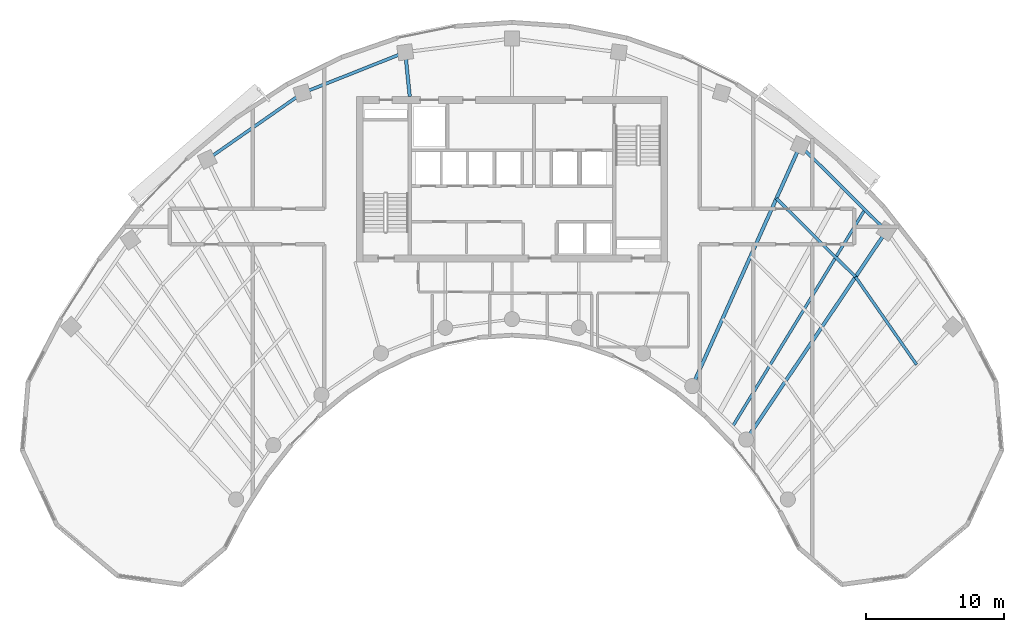
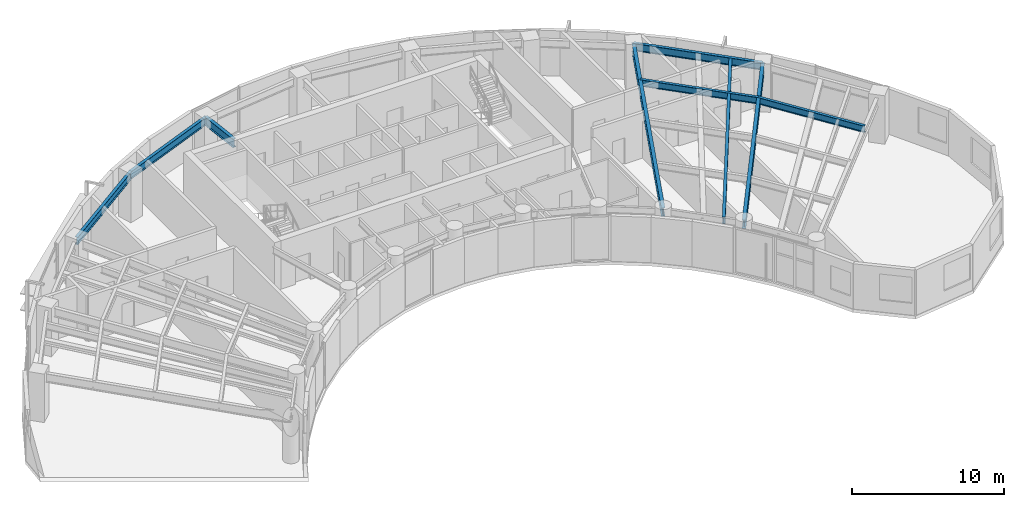
# One storey, part 4 of 13: 9 beams.
"""IFC4 building model written with IfcOpenShell, lengths in metres."""

from ifc_helpers import new_model, si_unit, direction, frame, origin, origin_2d, place, context, subcontext, project, spatial, i_section, extrude, source, transform, mapped, material, material_profile, profile_set, type_object, element, save


model = new_model("IFC4")

# Units and contexts
model_context = context("Model", 3, precision=1e-05, world=origin(), true_north=direction((0.0, 1.0)))
body_context = subcontext(model_context, "Body", "Model", "MODEL_VIEW")
ifc_project = project(units=[si_unit("LENGTHUNIT", "METRE"), si_unit("AREAUNIT", "SQUARE_METRE"), si_unit("VOLUMEUNIT", "CUBIC_METRE"), si_unit("PLANEANGLEUNIT", "RADIAN"), si_unit("MASSUNIT", "GRAM", prefix="KILO")], contexts=[model_context])

# Site, building, storey
site_placement = place(None, origin())
site = spatial("IfcSite", under=ifc_project, at=site_placement, CompositionType="ELEMENT")
building_placement = place(site_placement, origin())
building = spatial("IfcBuilding", under=site, at=building_placement, Name="Breltana Convention Tower", CompositionType="ELEMENT")
storey_placement = place(building_placement, frame((0.0, 0.0, 181.800048828125)))
storey = spatial("IfcBuildingStorey", under=building, at=storey_placement, Name="L44", CompositionType="ELEMENT", Elevation=181.800048828125)

# Beams
ifc_material = material(Name="Steel ASTM A992 Grade 50", Category="steel")
ifc_material_profile_1 = material_profile(ifc_material, i_section(OverallWidth=0.2099609375, OverallDepth=0.537109375, WebThickness=0.010986328125, FlangeThickness=0.017333984375, at=origin_2d()), Name="W21X68")
ifc_profile_set_1 = profile_set([ifc_material_profile_1], Name="Steel ASTM A992 Grade 50")
beam_type_1 = type_object("IfcBeamType", Name="BM-JSG-04", PredefinedType="JOIST", material=ifc_profile_set_1)
shared_shape_1 = source(origin(), body_context, "Body", "SweptSolid", [
    extrude(i_section(OverallWidth=0.2099609375, OverallDepth=0.537109375, WebThickness=0.010986328125, FlangeThickness=0.017333984375, at=origin_2d()), origin(), (0.0, 0.0, 1.0), 8.084716796875),
])
beam_1_placement = place(storey_placement, frame((67.188232421875, 64.79248046875, 3.38134765625), z_axis=(0.710105094548, -0.704095699956, 0.0), x_axis=(0.704095699956, 0.710105094548, 0.0)))
element("IfcBeam", 1, at=beam_1_placement, inside=storey, type_object=beam_type_1, Name="L44 Composite Floor Joist 09.3", PredefinedType="JOIST", context=body_context, shape_type="MappedRepresentation", body=[
    mapped(shared_shape_1, transform((0.0, 0.0, 0.0), scale=1.0)),
])
shared_shape_2 = source(origin(), body_context, "Body", "SweptSolid", [
    extrude(i_section(OverallWidth=0.2099609375, OverallDepth=0.537109375, WebThickness=0.010986328125, FlangeThickness=0.017333984375, at=origin_2d()), origin(), (0.0, 0.0, 1.0), 18.409423828125),
])
beam_2_placement = place(storey_placement, frame((64.017333984375, 48.263916015625, 3.38134765625), z_axis=(0.520682167606, 0.853750596098, 0.0), x_axis=(-0.853750596098, 0.520682167606, 0.0)))
element("IfcBeam", 2, at=beam_2_placement, inside=storey, type_object=beam_type_1, Name="L44 Quarter-Bay Radial Trimmer 09", PredefinedType="JOIST", context=body_context, shape_type="MappedRepresentation", body=[
    mapped(shared_shape_2, transform((0.0, 0.0, 0.0), scale=1.0)),
])
shared_shape_3 = source(origin(), body_context, "Body", "SweptSolid", [
    extrude(i_section(OverallWidth=0.2099609375, OverallDepth=0.537109375, WebThickness=0.010986328125, FlangeThickness=0.017333984375, at=origin_2d()), origin(), (0.0, 0.0, 1.0), 7.75390625),
])
beam_3_placement = place(storey_placement, frame((72.92919921875, 59.10009765625, 3.38134765625), z_axis=(0.57119271264, -0.820815987312, 0.0), x_axis=(0.820815987312, 0.57119271264, 0.0)))
element("IfcBeam", 3, at=beam_3_placement, inside=storey, type_object=beam_type_1, Name="L44 Composite Floor Joist 10.3", PredefinedType="JOIST", context=body_context, shape_type="MappedRepresentation", body=[
    mapped(shared_shape_3, transform((0.0, 0.0, 0.0), scale=1.0)),
])
ifc_material_profile_2 = material_profile(ifc_material, i_section(OverallWidth=0.25390625, OverallDepth=0.68798828125, WebThickness=0.01318359375, FlangeThickness=0.02099609375, at=origin_2d()), Name="W27X102")
ifc_profile_set_2 = profile_set([ifc_material_profile_2], Name="Steel ASTM A992 Grade 50")
beam_type_2 = type_object("IfcBeamType", Name="BM-RG-W27X102", PredefinedType="USERDEFINED", material=ifc_profile_set_2)
shared_shape_4 = source(origin(), body_context, "Body", "SweptSolid", [
    extrude(i_section(OverallWidth=0.25390625, OverallDepth=0.68798828125, WebThickness=0.01318359375, FlangeThickness=0.02099609375, at=origin_2d()), origin(), (0.0, 0.0, 1.0), 3.220947265625),
])
beam_4_placement = place(storey_placement, frame((40.580078125, 72.199951171875, 3.305908203125), z_axis=(-0.101492254858, 0.994836329355, 0.0), x_axis=(-0.994836329355, -0.101492254858, 0.0)))
element("IfcBeam", 4, at=beam_4_placement, inside=storey, type_object=beam_type_2, Name="L44 North Core Radial Girder R05", ObjectType="GIRDER", PredefinedType="USERDEFINED", context=body_context, shape_type="MappedRepresentation", body=[
    mapped(shared_shape_4, transform((0.0, 0.0, 0.0), scale=1.0)),
])
shared_shape_5 = source(origin(), body_context, "Body", "SweptSolid", [
    extrude(i_section(OverallWidth=0.25390625, OverallDepth=0.68798828125, WebThickness=0.01318359375, FlangeThickness=0.02099609375, at=origin_2d()), origin(), (0.0, 0.0, 1.0), 19.133544921875),
])
beam_5_placement = place(storey_placement, frame((61.08203125, 51.174560546875, 3.305908203125), z_axis=(0.409144564164, 0.912469575172, 0.0), x_axis=(-0.912469575172, 0.409144564164, 0.0)))
element("IfcBeam", 5, at=beam_5_placement, inside=storey, type_object=beam_type_2, Name="L44 Radial Floor Girder R09", ObjectType="GIRDER", PredefinedType="USERDEFINED", context=body_context, shape_type="MappedRepresentation", body=[
    mapped(shared_shape_5, transform((0.0, 0.0, 0.0), scale=1.0)),
])
shared_shape_6 = source(origin(), body_context, "Body", "SweptSolid", [
    extrude(i_section(OverallWidth=0.25390625, OverallDepth=0.68798828125, WebThickness=0.01318359375, FlangeThickness=0.02099609375, at=origin_2d()), origin(), (0.0, 0.0, 1.0), 18.236328125),
])
beam_6_placement = place(storey_placement, frame((64.995849609375, 47.293701171875, 3.305908203125), z_axis=(0.557730360975, 0.830022195153, 0.0), x_axis=(-0.830022195153, 0.557730360975, 0.0)))
element("IfcBeam", 6, at=beam_6_placement, inside=storey, type_object=beam_type_2, Name="L44 Radial Floor Girder R10", ObjectType="GIRDER", PredefinedType="USERDEFINED", context=body_context, shape_type="MappedRepresentation", body=[
    mapped(shared_shape_6, transform((0.0, 0.0, 0.0), scale=1.0)),
])
ifc_material_profile_3 = material_profile(ifc_material, i_section(OverallWidth=0.22802734375, OverallDepth=0.60791015625, WebThickness=0.01123046875, FlangeThickness=0.017333984375, at=origin_2d()), Name="W24X76")
ifc_profile_set_3 = profile_set([ifc_material_profile_3], Name="Steel ASTM A992 Grade 50")
beam_type_3 = type_object("IfcBeamType", Name="BM-SP-W24X76", PredefinedType="SPANDREL", material=ifc_profile_set_3)
shared_shape_7 = source(origin(), body_context, "Body", "SweptSolid", [
    extrude(i_section(OverallWidth=0.22802734375, OverallDepth=0.60791015625, WebThickness=0.01123046875, FlangeThickness=0.017333984375, at=origin_2d()), origin(), (0.0, 0.0, 1.0), 8.4169921875),
])
beam_7_placement = place(storey_placement, frame((25.8876953125, 67.626953125, 3.345947265625), z_axis=(0.820173800102, 0.572114444519, 0.0), x_axis=(-0.572114444519, 0.820173800102, 0.0)))
element("IfcBeam", 7, at=beam_7_placement, inside=storey, type_object=beam_type_3, Name="L44 Outer Spandrel Beam 03", PredefinedType="SPANDREL", context=body_context, shape_type="MappedRepresentation", body=[
    mapped(shared_shape_7, transform((0.0, 0.0, 0.0), scale=1.0)),
])
shared_shape_8 = source(origin(), body_context, "Body", "SweptSolid", [
    extrude(i_section(OverallWidth=0.22802734375, OverallDepth=0.60791015625, WebThickness=0.01123046875, FlangeThickness=0.017333984375, at=origin_2d()), origin(), (0.0, 0.0, 1.0), 8.028564453125),
])
beam_8_placement = place(storey_placement, frame((32.791015625, 72.4423828125, 3.345947265625), z_axis=(0.929459100394, 0.368925169507, 0.0), x_axis=(-0.368925169507, 0.929459100394, 0.0)))
element("IfcBeam", 8, at=beam_8_placement, inside=storey, type_object=beam_type_3, Name="L44 Outer Spandrel Beam 04", PredefinedType="SPANDREL", context=body_context, shape_type="MappedRepresentation", body=[
    mapped(shared_shape_8, transform((0.0, 0.0, 0.0), scale=1.0)),
])
shared_shape_9 = source(origin(), body_context, "Body", "SweptSolid", [
    extrude(i_section(OverallWidth=0.22802734375, OverallDepth=0.60791015625, WebThickness=0.01123046875, FlangeThickness=0.017333984375, at=origin_2d()), origin(), (0.0, 0.0, 1.0), 8.810302734375),
])
beam_9_placement = place(storey_placement, frame((68.910400390625, 68.63330078125, 3.345947265625), z_axis=(0.710120823582, -0.704079836322, 0.0), x_axis=(0.704079836322, 0.710120823582, 0.0)))
element("IfcBeam", 9, at=beam_9_placement, inside=storey, type_object=beam_type_3, Name="L44 Outer Spandrel Beam 09", PredefinedType="SPANDREL", context=body_context, shape_type="MappedRepresentation", body=[
    mapped(shared_shape_9, transform((0.0, 0.0, 0.0), scale=1.0)),
])

save(model, "model.ifc")
